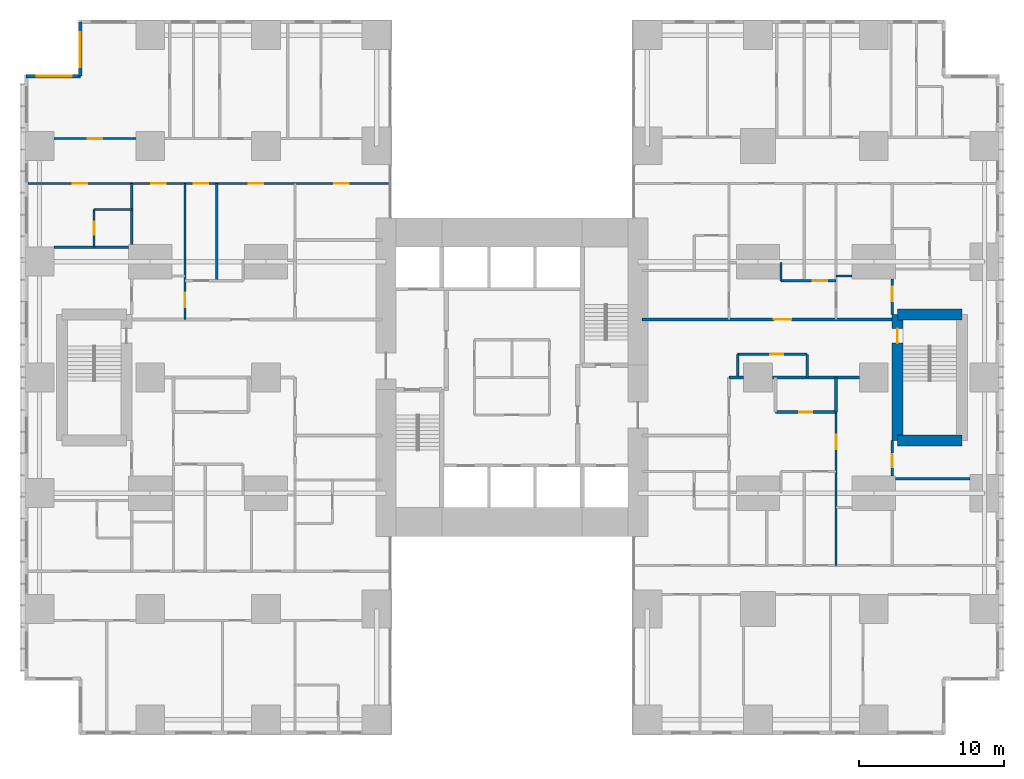
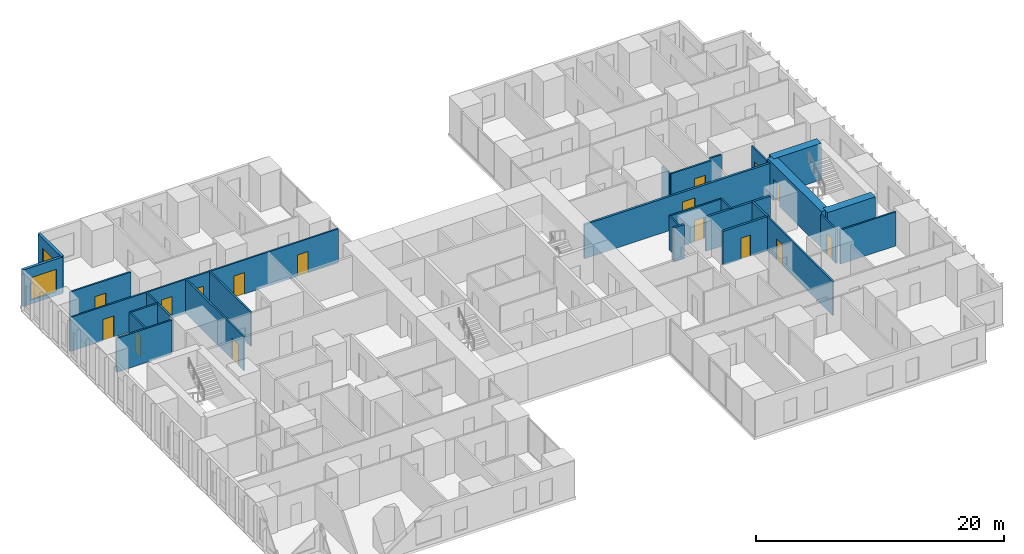
# One storey, part 16 of 20: 28 walls, 16 doors, 2 windows, 18 openings.
"""IFC4 building model written with IfcOpenShell, lengths in metres."""

from ifc_helpers import new_model, si_unit, direction, frame, frame_2d, origin, place, context, subcontext, project, spatial, rectangle, extrude, material, layer, layer_set, type_object, element, fill, save


model = new_model("IFC4")

# Units and contexts
model_context = context("Model", 3, precision=1e-05, world=origin(), true_north=direction((0.0, 1.0)))
body_context = subcontext(model_context, "Body", "Model", "MODEL_VIEW")
ifc_project = project(units=[si_unit("LENGTHUNIT", "METRE"), si_unit("AREAUNIT", "SQUARE_METRE"), si_unit("VOLUMEUNIT", "CUBIC_METRE"), si_unit("PLANEANGLEUNIT", "RADIAN"), si_unit("MASSUNIT", "GRAM", prefix="KILO")], contexts=[model_context])

# Site, building, storey
site_placement = place(None, origin())
site = spatial("IfcSite", under=ifc_project, at=site_placement, CompositionType="ELEMENT")
building_placement = place(site_placement, origin())
building = spatial("IfcBuilding", under=site, at=building_placement, Name="Cleftline Residences", CompositionType="ELEMENT")
storey_placement = place(building_placement, frame((0.0, 0.0, 164.60009765625)))
storey = spatial("IfcBuildingStorey", under=building, at=storey_placement, Name="L43", CompositionType="ELEMENT", Elevation=164.60009765625)

# Wall, opening, window
ifc_material_1 = material(Name="Rendered reinforced concrete blockwork", Category="masonry")
ifc_layer_1 = layer(ifc_material_1, 0.25)
ifc_layer_set_1 = layer_set([ifc_layer_1], Name="EXTERNAL WALL 250")
wall_type_1 = type_object("IfcWallType", Name="EXTERNAL WALL 250", PredefinedType="SOLIDWALL", material=ifc_layer_set_1)
wall_1_placement = place(storey_placement, frame((3.175048828125, 48.574951171875, 0.0), z_axis=(0.0, 0.0, 1.0), x_axis=(0.0, -1.0, 0.0)))
wall_1 = element("IfcWall", 1, at=wall_1_placement, inside=storey, type_object=wall_type_1, Name="External wall", PredefinedType="SOLIDWALL", context=body_context, shape_type="SweptSolid", body=[
    extrude(rectangle(XDim=3.75, YDim=0.25, at=frame_2d((1.875, 0.0))), origin(), (0.0, 0.0, 1.0), 3.599853515625),
])
opening_1_placement = place(wall_1_placement, frame((0.737548828125, 0.0, 0.39990234375)))
opening_1 = element("IfcOpeningElement", 2, at=opening_1_placement, cuts=wall_1, Name="Opening W12", PredefinedType="OPENING", context=body_context, shape_type="SweptSolid", body=[
    extrude(rectangle(XDim=2.39990234375, YDim=2.199951171875, at=frame_2d((1.199951171875, 1.10009765625))), frame((0.0, 0.135009765625, 0.0), z_axis=(0.0, -1.0, 0.0), x_axis=(1.0, 0.0, 0.0)), (0.0, 0.0, 1.0), 0.27001953125),
])
ifc_material_2 = material(Name="Aluminium frame, clear double glazing", Category="aluminium")
window_type = type_object("IfcWindowType", Name="WINDOW 2400X2200", PartitioningType="DOUBLE_PANEL_VERTICAL", PredefinedType="WINDOW", material=ifc_material_2)
window_1_placement = place(opening_1_placement, origin())
window_1 = element("IfcWindow", 3, at=window_1_placement, inside=storey, type_object=window_type, Name="Window", OverallHeight=2.199951171875, OverallWidth=2.39990234375, PartitioningType="SINGLE_PANEL", PredefinedType="WINDOW", context=body_context, shape_type="SweptSolid", body=[
    extrude(rectangle(XDim=2.39990234375, YDim=2.199951171875, at=frame_2d((1.199951171875, 1.10009765625))), frame((0.0, 0.030029296875, 0.0), z_axis=(0.0, -1.0, 0.0), x_axis=(1.0, 0.0, 0.0)), (0.0, 0.0, 1.0), 0.06005859375),
])
fill(opening_1, window_1)

wall_2_placement = place(storey_placement, frame((3.175048828125, 44.824951171875, 0.0), z_axis=(0.0, 0.0, 1.0), x_axis=(-1.0, 0.0, 0.0)))
wall_2 = element("IfcWall", 4, at=wall_2_placement, inside=storey, type_object=wall_type_1, Name="External wall", PredefinedType="SOLIDWALL", context=body_context, shape_type="SweptSolid", body=[
    extrude(rectangle(XDim=3.75, YDim=0.25, at=frame_2d((1.875, 0.0))), origin(), (0.0, 0.0, 1.0), 3.599853515625),
])
opening_2_placement = place(wall_2_placement, frame((0.612548828125, 0.0, 0.39990234375)))
opening_2 = element("IfcOpeningElement", 5, at=opening_2_placement, cuts=wall_2, Name="Opening W12", PredefinedType="OPENING", context=body_context, shape_type="SweptSolid", body=[
    extrude(rectangle(XDim=2.39990234375, YDim=2.199951171875, at=frame_2d((1.199951171875, 1.10009765625))), frame((0.0, 0.135009765625, 0.0), z_axis=(0.0, -1.0, 0.0), x_axis=(1.0, 0.0, 0.0)), (0.0, 0.0, 1.0), 0.27001953125),
])
window_2_placement = place(opening_2_placement, origin())
window_2 = element("IfcWindow", 6, at=window_2_placement, inside=storey, type_object=window_type, Name="Window", OverallHeight=2.199951171875, OverallWidth=2.39990234375, PartitioningType="SINGLE_PANEL", PredefinedType="WINDOW", context=body_context, shape_type="SweptSolid", body=[
    extrude(rectangle(XDim=2.39990234375, YDim=2.199951171875, at=frame_2d((1.199951171875, 1.10009765625))), frame((0.0, 0.030029296875, 0.0), z_axis=(0.0, -1.0, 0.0), x_axis=(1.0, 0.0, 0.0)), (0.0, 0.0, 1.0), 0.06005859375),
])
fill(opening_2, window_2)

# Wall, opening, door
ifc_material_3 = material(Name="Concrete blockwork, fire rated", Category="masonry")
ifc_layer_2 = layer(ifc_material_3, 0.199951171875)
ifc_layer_set_2 = layer_set([ifc_layer_2], Name="FIRE WALL 200")
wall_type_2 = type_object("IfcWallType", Name="FIRE WALL 200", PredefinedType="PARTITIONING", material=ifc_layer_set_2)
wall_3_placement = place(storey_placement, frame((51.199951171875, 21.60009765625, 0.0), z_axis=(0.0, 0.0, 1.0), x_axis=(1.0, 0.0, 0.0)))
wall_3 = element("IfcWall", 7, at=wall_3_placement, inside=storey, type_object=wall_type_2, Name="Fire separating wall", PredefinedType="PARTITIONING", context=body_context, shape_type="SweptSolid", body=[
    extrude(rectangle(XDim=4.199951171875, YDim=0.199951171875, at=frame_2d((2.10009765625, 0.0))), origin(), (0.0, 0.0, 1.0), 3.349853515625),
])
opening_3_placement = place(wall_3_placement, frame((1.64990234375, 0.0, 0.0)))
opening_3 = element("IfcOpeningElement", 8, at=opening_3_placement, cuts=wall_3, Name="Opening D1F30", PredefinedType="OPENING", context=body_context, shape_type="SweptSolid", body=[
    extrude(rectangle(XDim=0.89990234375, YDim=2.10009765625, at=frame_2d((0.449951171875, 1.050048828125))), frame((0.0, 0.10986328125, 0.0), z_axis=(0.0, -1.0, 0.0), x_axis=(1.0, 0.0, 0.0)), (0.0, 0.0, 1.0), 0.219970703125),
])
ifc_material_4 = material(Name="Timber veneer on solid core", Category="wood")
door_type_1 = type_object("IfcDoorType", Name="DOOR 900X2100 EI 30", OperationType="SINGLE_SWING_LEFT", PredefinedType="DOOR", material=ifc_material_4)
door_1_placement = place(opening_3_placement, origin())
door_1 = element("IfcDoor", 9, at=door_1_placement, inside=storey, type_object=door_type_1, Name="Door to cloakroom wc", OperationType="SINGLE_SWING_LEFT", OverallHeight=2.10009765625, OverallWidth=0.89990234375, PredefinedType="DOOR", context=body_context, shape_type="SweptSolid", body=[
    extrude(rectangle(XDim=0.89990234375, YDim=2.10009765625, at=frame_2d((0.449951171875, 1.050048828125))), frame((0.0, 0.02490234375, 0.0), z_axis=(0.0, -1.0, 0.0), x_axis=(1.0, 0.0, 0.0)), (0.0, 0.0, 1.0), 0.050048828125),
])
fill(opening_3, door_1)

# Walls
wall_4_placement = place(storey_placement, frame((48.0, 24.0, 0.0), z_axis=(0.0, 0.0, 1.0), x_axis=(1.0, 0.0, 0.0)))
element("IfcWall", 10, at=wall_4_placement, inside=storey, type_object=wall_type_2, Name="Fire separating wall", PredefinedType="PARTITIONING", context=body_context, shape_type="SweptSolid", body=[
    extrude(rectangle(XDim=1.0, YDim=0.199951171875, at=frame_2d((0.5, 0.0))), origin(), (0.0, 0.0, 1.0), 3.349853515625),
])
wall_5_placement = place(storey_placement, frame((51.0, 24.0, 0.0), z_axis=(0.0, 0.0, 1.0), x_axis=(1.0, 0.0, 0.0)))
element("IfcWall", 11, at=wall_5_placement, inside=storey, type_object=wall_type_2, Name="Fire separating wall", PredefinedType="PARTITIONING", context=body_context, shape_type="SweptSolid", body=[
    extrude(rectangle(XDim=6.0, YDim=0.199951171875, at=frame_2d((3.0, 0.0))), origin(), (0.0, 0.0, 1.0), 3.349853515625),
])

# Wall, opening, door
wall_6_placement = place(storey_placement, frame((42.0, 28.0, 0.0), z_axis=(0.0, 0.0, 1.0), x_axis=(1.0, 0.0, 0.0)))
wall_6 = element("IfcWall", 12, at=wall_6_placement, inside=storey, type_object=wall_type_2, Name="Fire separating wall", PredefinedType="PARTITIONING", context=body_context, shape_type="SweptSolid", body=[
    extrude(rectangle(XDim=17.27490234375, YDim=0.199951171875, at=frame_2d((8.637451171875, 0.0))), origin(), (0.0, 0.0, 1.0), 3.349853515625),
])
opening_4_placement = place(wall_6_placement, frame((9.10009765625, 0.0, 0.0)))
opening_4 = element("IfcOpeningElement", 13, at=opening_4_placement, cuts=wall_6, Name="Opening D4", PredefinedType="OPENING", context=body_context, shape_type="SweptSolid", body=[
    extrude(rectangle(XDim=1.199951171875, YDim=2.39990234375, at=frame_2d((0.60009765625, 1.199951171875))), frame((0.0, 0.10986328125, 0.0), z_axis=(0.0, -1.0, 0.0), x_axis=(1.0, 0.0, 0.0)), (0.0, 0.0, 1.0), 0.219970703125),
])
ifc_material_5 = material(Name="Timber veneer on solid core", Category="wood")
door_type_2 = type_object("IfcDoorType", Name="APARTMENT ENTRANCE DOOR 1200X2400", OperationType="SINGLE_SWING_RIGHT", PredefinedType="DOOR", material=ifc_material_5)
door_2_placement = place(opening_4_placement, origin())
door_2 = element("IfcDoor", 14, at=door_2_placement, inside=storey, type_object=door_type_2, Name="Door to residence entrance (gallery)", OperationType="SINGLE_SWING_LEFT", OverallHeight=2.39990234375, OverallWidth=1.199951171875, PredefinedType="DOOR", context=body_context, shape_type="SweptSolid", body=[
    extrude(rectangle(XDim=1.199951171875, YDim=2.39990234375, at=frame_2d((0.60009765625, 1.199951171875))), frame((0.0, 0.02490234375, 0.0), z_axis=(0.0, -1.0, 0.0), x_axis=(1.0, 0.0, 0.0)), (0.0, 0.0, 1.0), 0.050048828125),
])
fill(opening_4, door_2)

# Walls
wall_7_placement = place(storey_placement, frame((55.39990234375, 21.60009765625, 0.0), z_axis=(0.0, 0.0, 1.0), x_axis=(0.0, 1.0, 0.0)))
element("IfcWall", 15, at=wall_7_placement, inside=storey, type_object=wall_type_2, Name="Fire separating wall", PredefinedType="PARTITIONING", context=body_context, shape_type="SweptSolid", body=[
    extrude(rectangle(XDim=2.39990234375, YDim=0.199951171875, at=frame_2d((1.199951171875, 0.0))), origin(), (0.0, 0.0, 1.0), 3.349853515625),
])
ifc_material_6 = material(Name="Gypsum board on steel studs", Category="steel")
ifc_layer_3 = layer(ifc_material_6, 0.14990234375)
ifc_layer_set_3 = layer_set([ifc_layer_3], Name="PARTITION 150")
wall_type_3 = type_object("IfcWallType", Name="PARTITION 150", PredefinedType="PARTITIONING", material=ifc_layer_set_3)
wall_8_placement = place(storey_placement, frame((59.5, 17.0, 0.0), z_axis=(0.0, 0.0, 1.0), x_axis=(1.0, 0.0, 0.0)))
element("IfcWall", 16, at=wall_8_placement, inside=storey, type_object=wall_type_3, Name="Partition", PredefinedType="PARTITIONING", context=body_context, shape_type="SweptSolid", body=[
    extrude(rectangle(XDim=5.14990234375, YDim=0.14990234375, at=frame_2d((2.574951171875, 0.0))), origin(), (0.0, 0.0, 1.0), 3.349853515625),
])

# Wall, opening, door
wall_9_placement = place(storey_placement, frame((48.60009765625, 25.60009765625, 0.0), z_axis=(0.0, 0.0, 1.0), x_axis=(1.0, 0.0, 0.0)))
wall_9 = element("IfcWall", 17, at=wall_9_placement, inside=storey, type_object=wall_type_3, Name="Partition", PredefinedType="PARTITIONING", context=body_context, shape_type="SweptSolid", body=[
    extrude(rectangle(XDim=4.7998046875, YDim=0.14990234375, at=frame_2d((2.39990234375, 0.0))), origin(), (0.0, 0.0, 1.0), 3.349853515625),
])
opening_5_placement = place(wall_9_placement, frame((2.25, 0.0, 0.0)))
opening_5 = element("IfcOpeningElement", 18, at=opening_5_placement, cuts=wall_9, Name="Opening D1", PredefinedType="OPENING", context=body_context, shape_type="SweptSolid", body=[
    extrude(rectangle(XDim=0.89990234375, YDim=2.10009765625, at=frame_2d((0.449951171875, 1.050048828125))), frame((0.0, 0.0849609375, 0.0), z_axis=(0.0, -1.0, 0.0), x_axis=(1.0, 0.0, 0.0)), (0.0, 0.0, 1.0), 0.169921875),
])
ifc_material_7 = material(Name="Timber veneer on solid core", Category="wood")
door_type_3 = type_object("IfcDoorType", Name="DOOR 900X2100", OperationType="SINGLE_SWING_LEFT", PredefinedType="DOOR", material=ifc_material_7)
door_3_placement = place(opening_5_placement, origin())
door_3 = element("IfcDoor", 19, at=door_3_placement, inside=storey, type_object=door_type_3, Name="Door to bulky waste room", OperationType="SINGLE_SWING_LEFT", OverallHeight=2.10009765625, OverallWidth=0.89990234375, PredefinedType="DOOR", context=body_context, shape_type="SweptSolid", body=[
    extrude(rectangle(XDim=0.89990234375, YDim=2.10009765625, at=frame_2d((0.449951171875, 1.050048828125))), frame((0.0, 0.02490234375, 0.0), z_axis=(0.0, -1.0, 0.0), x_axis=(1.0, 0.0, 0.0)), (0.0, 0.0, 1.0), 0.050048828125),
])
fill(opening_5, door_3)

wall_10_placement = place(storey_placement, frame((51.60009765625, 30.675048828125, 0.0), z_axis=(0.0, 0.0, 1.0), x_axis=(1.0, 0.0, 0.0)))
wall_10 = element("IfcWall", 20, at=wall_10_placement, inside=storey, type_object=wall_type_3, Name="Partition", PredefinedType="PARTITIONING", context=body_context, shape_type="SweptSolid", body=[
    extrude(rectangle(XDim=3.7998046875, YDim=0.14990234375, at=frame_2d((1.89990234375, 0.0))), origin(), (0.0, 0.0, 1.0), 3.349853515625),
])
opening_6_placement = place(wall_10_placement, frame((2.199951171875, 0.0, 0.0)))
opening_6 = element("IfcOpeningElement", 21, at=opening_6_placement, cuts=wall_10, Name="Opening D2", PredefinedType="OPENING", context=body_context, shape_type="SweptSolid", body=[
    extrude(rectangle(XDim=1.0, YDim=2.10009765625, at=frame_2d((0.5, 1.050048828125))), frame((0.0, 0.0849609375, 0.0), z_axis=(0.0, -1.0, 0.0), x_axis=(1.0, 0.0, 0.0)), (0.0, 0.0, 1.0), 0.169921875),
])
ifc_material_8 = material(Name="Timber veneer on solid core", Category="wood")
door_type_4 = type_object("IfcDoorType", Name="DOOR 1000X2100", OperationType="SINGLE_SWING_LEFT", PredefinedType="DOOR", material=ifc_material_8)
door_4_placement = place(opening_6_placement, origin())
door_4 = element("IfcDoor", 22, at=door_4_placement, inside=storey, type_object=door_type_4, Name="Door to residence passage", OperationType="SINGLE_SWING_LEFT", OverallHeight=2.10009765625, OverallWidth=1.0, PredefinedType="DOOR", context=body_context, shape_type="SweptSolid", body=[
    extrude(rectangle(XDim=1.0, YDim=2.10009765625, at=frame_2d((0.5, 1.050048828125))), frame((0.0, 0.02490234375, 0.0), z_axis=(0.0, -1.0, 0.0), x_axis=(1.0, 0.0, 0.0)), (0.0, 0.0, 1.0), 0.050048828125),
])
fill(opening_6, door_4)

# Walls
wall_11_placement = place(storey_placement, frame((55.39990234375, 31.0, 0.0), z_axis=(0.0, 0.0, 1.0), x_axis=(1.0, 0.0, 0.0)))
element("IfcWall", 23, at=wall_11_placement, inside=storey, type_object=wall_type_3, Name="Partition", PredefinedType="PARTITIONING", context=body_context, shape_type="SweptSolid", body=[
    extrude(rectangle(XDim=1.10009765625, YDim=0.14990234375, at=frame_2d((0.550048828125, 0.0))), origin(), (0.0, 0.0, 1.0), 3.349853515625),
])
wall_12_placement = place(storey_placement, frame((1.35009765625, 33.0, 0.0), z_axis=(0.0, 0.0, 1.0), x_axis=(1.0, 0.0, 0.0)))
element("IfcWall", 24, at=wall_12_placement, inside=storey, type_object=wall_type_3, Name="Partition", PredefinedType="PARTITIONING", context=body_context, shape_type="SweptSolid", body=[
    extrude(rectangle(XDim=5.14990234375, YDim=0.14990234375, at=frame_2d((2.574951171875, 0.0))), origin(), (0.0, 0.0, 1.0), 3.349853515625),
])
wall_13_placement = place(storey_placement, frame((4.125, 35.60009765625, 0.0), z_axis=(0.0, 0.0, 1.0), x_axis=(1.0, 0.0, 0.0)))
element("IfcWall", 25, at=wall_13_placement, inside=storey, type_object=wall_type_3, Name="Partition", PredefinedType="PARTITIONING", context=body_context, shape_type="SweptSolid", body=[
    extrude(rectangle(XDim=2.60009765625, YDim=0.14990234375, at=frame_2d((1.300048828125, 0.0))), origin(), (0.0, 0.0, 1.0), 3.349853515625),
])

# Wall, openings, doors
wall_14_placement = place(storey_placement, frame((-0.449951171875, 37.39990234375, 0.0), z_axis=(0.0, 0.0, 1.0), x_axis=(1.0, 0.0, 0.0)))
wall_14 = element("IfcWall", 26, at=wall_14_placement, inside=storey, type_object=wall_type_3, Name="Partition", PredefinedType="PARTITIONING", context=body_context, shape_type="SweptSolid", body=[
    extrude(rectangle(XDim=25.010986328125, YDim=0.14990234375, at=frame_2d((12.50537109375, 0.0))), origin(), (0.0, 0.0, 1.0), 3.349853515625),
])
opening_7_placement = place(wall_14_placement, frame((11.449951171875, 0.0, 0.0)))
opening_7 = element("IfcOpeningElement", 27, at=opening_7_placement, cuts=wall_14, Name="Opening D2", PredefinedType="OPENING", context=body_context, shape_type="SweptSolid", body=[
    extrude(rectangle(XDim=1.0, YDim=2.10009765625, at=frame_2d((0.5, 1.050048828125))), frame((0.0, 0.0849609375, 0.0), z_axis=(0.0, -1.0, 0.0), x_axis=(1.0, 0.0, 0.0)), (0.0, 0.0, 1.0), 0.169921875),
])
opening_8_placement = place(wall_14_placement, frame((3.08740234375, 0.0, 0.0)))
opening_8 = element("IfcOpeningElement", 28, at=opening_8_placement, cuts=wall_14, Name="Opening D2", PredefinedType="OPENING", context=body_context, shape_type="SweptSolid", body=[
    extrude(rectangle(XDim=1.0, YDim=2.10009765625, at=frame_2d((0.5, 1.050048828125))), frame((0.0, 0.0849609375, 0.0), z_axis=(0.0, -1.0, 0.0), x_axis=(1.0, 0.0, 0.0)), (0.0, 0.0, 1.0), 0.169921875),
])
opening_9_placement = place(wall_14_placement, frame((8.512451171875, 0.0, 0.0)))
opening_9 = element("IfcOpeningElement", 29, at=opening_9_placement, cuts=wall_14, Name="Opening D2", PredefinedType="OPENING", context=body_context, shape_type="SweptSolid", body=[
    extrude(rectangle(XDim=1.0, YDim=2.10009765625, at=frame_2d((0.5, 1.050048828125))), frame((0.0, 0.0849609375, 0.0), z_axis=(0.0, -1.0, 0.0), x_axis=(1.0, 0.0, 0.0)), (0.0, 0.0, 1.0), 0.169921875),
])
opening_10_placement = place(wall_14_placement, frame((15.25, 0.0, 0.0)))
opening_10 = element("IfcOpeningElement", 30, at=opening_10_placement, cuts=wall_14, Name="Opening D2", PredefinedType="OPENING", context=body_context, shape_type="SweptSolid", body=[
    extrude(rectangle(XDim=1.0, YDim=2.10009765625, at=frame_2d((0.5, 1.050048828125))), frame((0.0, 0.0849609375, 0.0), z_axis=(0.0, -1.0, 0.0), x_axis=(1.0, 0.0, 0.0)), (0.0, 0.0, 1.0), 0.169921875),
])
opening_11_placement = place(wall_14_placement, frame((21.175048828125, 0.0, 0.0)))
opening_11 = element("IfcOpeningElement", 31, at=opening_11_placement, cuts=wall_14, Name="Opening D2", PredefinedType="OPENING", context=body_context, shape_type="SweptSolid", body=[
    extrude(rectangle(XDim=1.0, YDim=2.10009765625, at=frame_2d((0.5, 1.050048828125))), frame((0.0, 0.0849609375, 0.0), z_axis=(0.0, -1.0, 0.0), x_axis=(1.0, 0.0, 0.0)), (0.0, 0.0, 1.0), 0.169921875),
])
door_5_placement = place(opening_7_placement, origin())
door_5 = element("IfcDoor", 32, at=door_5_placement, inside=storey, type_object=door_type_4, Name="Door to residence hall", OperationType="SINGLE_SWING_RIGHT", OverallHeight=2.10009765625, OverallWidth=1.0, PredefinedType="DOOR", context=body_context, shape_type="SweptSolid", body=[
    extrude(rectangle(XDim=1.0, YDim=2.10009765625, at=frame_2d((0.5, 1.050048828125))), frame((0.0, 0.02490234375, 0.0), z_axis=(0.0, -1.0, 0.0), x_axis=(1.0, 0.0, 0.0)), (0.0, 0.0, 1.0), 0.050048828125),
])
fill(opening_7, door_5)
door_6_placement = place(opening_8_placement, origin())
door_6 = element("IfcDoor", 33, at=door_6_placement, inside=storey, type_object=door_type_4, Name="Door to master bedroom", OperationType="SINGLE_SWING_RIGHT", OverallHeight=2.10009765625, OverallWidth=1.0, PredefinedType="DOOR", context=body_context, shape_type="SweptSolid", body=[
    extrude(rectangle(XDim=1.0, YDim=2.10009765625, at=frame_2d((0.5, 1.050048828125))), frame((0.0, 0.02490234375, 0.0), z_axis=(0.0, -1.0, 0.0), x_axis=(1.0, 0.0, 0.0)), (0.0, 0.0, 1.0), 0.050048828125),
])
fill(opening_8, door_6)
door_7_placement = place(opening_9_placement, origin())
door_7 = element("IfcDoor", 34, at=door_7_placement, inside=storey, type_object=door_type_4, Name="Door to show kitchen", OperationType="SINGLE_SWING_RIGHT", OverallHeight=2.10009765625, OverallWidth=1.0, PredefinedType="DOOR", context=body_context, shape_type="SweptSolid", body=[
    extrude(rectangle(XDim=1.0, YDim=2.10009765625, at=frame_2d((0.5, 1.050048828125))), frame((0.0, 0.02490234375, 0.0), z_axis=(0.0, -1.0, 0.0), x_axis=(1.0, 0.0, 0.0)), (0.0, 0.0, 1.0), 0.050048828125),
])
fill(opening_9, door_7)
door_8_placement = place(opening_10_placement, origin())
door_8 = element("IfcDoor", 35, at=door_8_placement, inside=storey, type_object=door_type_4, Name="Door to dining room", OperationType="SINGLE_SWING_LEFT", OverallHeight=2.10009765625, OverallWidth=1.0, PredefinedType="DOOR", context=body_context, shape_type="SweptSolid", body=[
    extrude(rectangle(XDim=1.0, YDim=2.10009765625, at=frame_2d((0.5, 1.050048828125))), frame((0.0, 0.02490234375, 0.0), z_axis=(0.0, -1.0, 0.0), x_axis=(1.0, 0.0, 0.0)), (0.0, 0.0, 1.0), 0.050048828125),
])
fill(opening_10, door_8)
door_9_placement = place(opening_11_placement, origin())
door_9 = element("IfcDoor", 36, at=door_9_placement, inside=storey, type_object=door_type_4, Name="Door to wet kitchen", OperationType="SINGLE_SWING_LEFT", OverallHeight=2.10009765625, OverallWidth=1.0, PredefinedType="DOOR", context=body_context, shape_type="SweptSolid", body=[
    extrude(rectangle(XDim=1.0, YDim=2.10009765625, at=frame_2d((0.5, 1.050048828125))), frame((0.0, 0.02490234375, 0.0), z_axis=(0.0, -1.0, 0.0), x_axis=(1.0, 0.0, 0.0)), (0.0, 0.0, 1.0), 0.050048828125),
])
fill(opening_11, door_9)

# Wall, opening, door
wall_15_placement = place(storey_placement, frame((1.35009765625, 40.5, 0.0), z_axis=(0.0, 0.0, 1.0), x_axis=(1.0, 0.0, 0.0)))
wall_15 = element("IfcWall", 37, at=wall_15_placement, inside=storey, type_object=wall_type_3, Name="Partition", PredefinedType="PARTITIONING", context=body_context, shape_type="SweptSolid", body=[
    extrude(rectangle(XDim=5.64990234375, YDim=0.14990234375, at=frame_2d((2.824951171875, 0.0))), origin(), (0.0, 0.0, 1.0), 3.349853515625),
])
opening_12_placement = place(wall_15_placement, frame((2.324951171875, 0.0, 0.0)))
opening_12 = element("IfcOpeningElement", 38, at=opening_12_placement, cuts=wall_15, Name="Opening D2", PredefinedType="OPENING", context=body_context, shape_type="SweptSolid", body=[
    extrude(rectangle(XDim=1.0, YDim=2.10009765625, at=frame_2d((0.5, 1.050048828125))), frame((0.0, 0.0849609375, 0.0), z_axis=(0.0, -1.0, 0.0), x_axis=(1.0, 0.0, 0.0)), (0.0, 0.0, 1.0), 0.169921875),
])
door_10_placement = place(opening_12_placement, origin())
door_10 = element("IfcDoor", 39, at=door_10_placement, inside=storey, type_object=door_type_4, Name="Door to living room", OperationType="SINGLE_SWING_LEFT", OverallHeight=2.10009765625, OverallWidth=1.0, PredefinedType="DOOR", context=body_context, shape_type="SweptSolid", body=[
    extrude(rectangle(XDim=1.0, YDim=2.10009765625, at=frame_2d((0.5, 1.050048828125))), frame((0.0, 0.02490234375, 0.0), z_axis=(0.0, -1.0, 0.0), x_axis=(1.0, 0.0, 0.0)), (0.0, 0.0, 1.0), 0.050048828125),
])
fill(opening_12, door_10)

wall_16_placement = place(storey_placement, frame((4.125, 33.0, 0.0), z_axis=(0.0, 0.0, 1.0), x_axis=(0.0, 1.0, 0.0)))
wall_16 = element("IfcWall", 40, at=wall_16_placement, inside=storey, type_object=wall_type_3, Name="Partition", PredefinedType="PARTITIONING", context=body_context, shape_type="SweptSolid", body=[
    extrude(rectangle(XDim=2.60009765625, YDim=0.14990234375, at=frame_2d((1.300048828125, 0.0))), origin(), (0.0, 0.0, 1.0), 3.349853515625),
])
opening_13_placement = place(wall_16_placement, frame((0.85009765625, 0.0, 0.0)))
opening_13 = element("IfcOpeningElement", 41, at=opening_13_placement, cuts=wall_16, Name="Opening D1", PredefinedType="OPENING", context=body_context, shape_type="SweptSolid", body=[
    extrude(rectangle(XDim=0.89990234375, YDim=2.10009765625, at=frame_2d((0.449951171875, 1.050048828125))), frame((0.0, 0.0849609375, 0.0), z_axis=(0.0, -1.0, 0.0), x_axis=(1.0, 0.0, 0.0)), (0.0, 0.0, 1.0), 0.169921875),
])
door_11_placement = place(opening_13_placement, origin())
door_11 = element("IfcDoor", 42, at=door_11_placement, inside=storey, type_object=door_type_3, Name="Door to master bathroom", OperationType="SINGLE_SWING_LEFT", OverallHeight=2.10009765625, OverallWidth=0.89990234375, PredefinedType="DOOR", context=body_context, shape_type="SweptSolid", body=[
    extrude(rectangle(XDim=0.89990234375, YDim=2.10009765625, at=frame_2d((0.449951171875, 1.050048828125))), frame((0.0, 0.02490234375, 0.0), z_axis=(0.0, -1.0, 0.0), x_axis=(1.0, 0.0, 0.0)), (0.0, 0.0, 1.0), 0.050048828125),
])
fill(opening_13, door_11)

# Wall
wall_17_placement = place(storey_placement, frame((6.72509765625, 33.199951171875, 0.0), z_axis=(0.0, 0.0, 1.0), x_axis=(0.0, 1.0, 0.0)))
element("IfcWall", 43, at=wall_17_placement, inside=storey, type_object=wall_type_3, Name="Partition", PredefinedType="PARTITIONING", context=body_context, shape_type="SweptSolid", body=[
    extrude(rectangle(XDim=4.199951171875, YDim=0.14990234375, at=frame_2d((2.10009765625, 0.0))), origin(), (0.0, 0.0, 1.0), 3.349853515625),
])

# Wall, opening, door
wall_18_placement = place(storey_placement, frame((10.39990234375, 28.0, 0.0), z_axis=(0.0, 0.0, 1.0), x_axis=(0.0, 1.0, 0.0)))
wall_18 = element("IfcWall", 44, at=wall_18_placement, inside=storey, type_object=wall_type_3, Name="Partition", PredefinedType="PARTITIONING", context=body_context, shape_type="SweptSolid", body=[
    extrude(rectangle(XDim=9.39990234375, YDim=0.14990234375, at=frame_2d((4.699951171875, 0.0))), origin(), (0.0, 0.0, 1.0), 3.349853515625),
])
opening_14_placement = place(wall_18_placement, frame((0.83740234375, 0.0, 0.0)))
opening_14 = element("IfcOpeningElement", 45, at=opening_14_placement, cuts=wall_18, Name="Opening D2F30", PredefinedType="OPENING", context=body_context, shape_type="SweptSolid", body=[
    extrude(rectangle(XDim=1.0, YDim=2.10009765625, at=frame_2d((0.5, 1.050048828125))), frame((0.0, 0.0849609375, 0.0), z_axis=(0.0, -1.0, 0.0), x_axis=(1.0, 0.0, 0.0)), (0.0, 0.0, 1.0), 0.169921875),
])
ifc_material_9 = material(Name="Timber veneer on solid core", Category="wood")
door_type_5 = type_object("IfcDoorType", Name="DOOR 1000X2100 EI 30", OperationType="SINGLE_SWING_LEFT", PredefinedType="DOOR", material=ifc_material_9)
door_12_placement = place(opening_14_placement, origin())
door_12 = element("IfcDoor", 46, at=door_12_placement, inside=storey, type_object=door_type_5, Name="Door to residence lobby (service)", OperationType="SINGLE_SWING_RIGHT", OverallHeight=2.10009765625, OverallWidth=1.0, PredefinedType="DOOR", context=body_context, shape_type="SweptSolid", body=[
    extrude(rectangle(XDim=1.0, YDim=2.10009765625, at=frame_2d((0.5, 1.050048828125))), frame((0.0, 0.02490234375, 0.0), z_axis=(0.0, -1.0, 0.0), x_axis=(1.0, 0.0, 0.0)), (0.0, 0.0, 1.0), 0.050048828125),
])
fill(opening_14, door_12)

# Walls
wall_19_placement = place(storey_placement, frame((12.60009765625, 30.675048828125, 0.0), z_axis=(0.0, 0.0, 1.0), x_axis=(0.0, 1.0, 0.0)))
element("IfcWall", 47, at=wall_19_placement, inside=storey, type_object=wall_type_3, Name="Partition", PredefinedType="PARTITIONING", context=body_context, shape_type="SweptSolid", body=[
    extrude(rectangle(XDim=6.724853515625, YDim=0.14990234375, at=frame_2d((3.3623046875, 0.0))), origin(), (0.0, 0.0, 1.0), 3.349853515625),
])
wall_20_placement = place(storey_placement, frame((48.60009765625, 24.0, 0.0), z_axis=(0.0, 0.0, 1.0), x_axis=(0.0, 1.0, 0.0)))
element("IfcWall", 48, at=wall_20_placement, inside=storey, type_object=wall_type_3, Name="Partition", PredefinedType="PARTITIONING", context=body_context, shape_type="SweptSolid", body=[
    extrude(rectangle(XDim=1.60009765625, YDim=0.14990234375, at=frame_2d((0.800048828125, 0.0))), origin(), (0.0, 0.0, 1.0), 3.349853515625),
])
wall_21_placement = place(storey_placement, frame((51.60009765625, 30.675048828125, 0.0), z_axis=(0.0, 0.0, 1.0), x_axis=(0.0, 1.0, 0.0)))
element("IfcWall", 49, at=wall_21_placement, inside=storey, type_object=wall_type_3, Name="Partition", PredefinedType="PARTITIONING", context=body_context, shape_type="SweptSolid", body=[
    extrude(rectangle(XDim=1.27490234375, YDim=0.14990234375, at=frame_2d((0.637451171875, 0.0))), origin(), (0.0, 0.0, 1.0), 3.349853515625),
])
wall_22_placement = place(storey_placement, frame((53.39990234375, 24.0, 0.0), z_axis=(0.0, 0.0, 1.0), x_axis=(0.0, 1.0, 0.0)))
element("IfcWall", 50, at=wall_22_placement, inside=storey, type_object=wall_type_3, Name="Partition", PredefinedType="PARTITIONING", context=body_context, shape_type="SweptSolid", body=[
    extrude(rectangle(XDim=1.60009765625, YDim=0.14990234375, at=frame_2d((0.800048828125, 0.0))), origin(), (0.0, 0.0, 1.0), 3.349853515625),
])

# Wall, opening, door
wall_23_placement = place(storey_placement, frame((55.39990234375, 11.0, 0.0), z_axis=(0.0, 0.0, 1.0), x_axis=(0.0, 1.0, 0.0)))
wall_23 = element("IfcWall", 51, at=wall_23_placement, inside=storey, type_object=wall_type_3, Name="Partition", PredefinedType="PARTITIONING", context=body_context, shape_type="SweptSolid", body=[
    extrude(rectangle(XDim=10.60009765625, YDim=0.14990234375, at=frame_2d((5.300048828125, 0.0))), origin(), (0.0, 0.0, 1.0), 3.349853515625),
])
opening_15_placement = place(wall_23_placement, frame((8.050048828125, 0.0, 0.0)))
opening_15 = element("IfcOpeningElement", 52, at=opening_15_placement, cuts=wall_23, Name="Opening D2F30", PredefinedType="OPENING", context=body_context, shape_type="SweptSolid", body=[
    extrude(rectangle(XDim=1.0, YDim=2.10009765625, at=frame_2d((0.5, 1.050048828125))), frame((0.0, 0.0849609375, 0.0), z_axis=(0.0, -1.0, 0.0), x_axis=(1.0, 0.0, 0.0)), (0.0, 0.0, 1.0), 0.169921875),
])
door_13_placement = place(opening_15_placement, origin())
door_13 = element("IfcDoor", 53, at=door_13_placement, inside=storey, type_object=door_type_5, Name="Door to residence lobby", OperationType="SINGLE_SWING_LEFT", OverallHeight=2.10009765625, OverallWidth=1.0, PredefinedType="DOOR", context=body_context, shape_type="SweptSolid", body=[
    extrude(rectangle(XDim=1.0, YDim=2.10009765625, at=frame_2d((0.5, 1.050048828125))), frame((0.0, 0.02490234375, 0.0), z_axis=(0.0, -1.0, 0.0), x_axis=(1.0, 0.0, 0.0)), (0.0, 0.0, 1.0), 0.050048828125),
])
fill(opening_15, door_13)

wall_24_placement = place(storey_placement, frame((59.27490234375, 17.199951171875, 0.0), z_axis=(0.0, 0.0, 1.0), x_axis=(0.0, 1.0, 0.0)))
wall_24 = element("IfcWall", 54, at=wall_24_placement, inside=storey, type_object=wall_type_3, Name="Partition", PredefinedType="PARTITIONING", context=body_context, shape_type="SweptSolid", body=[
    extrude(rectangle(XDim=2.449951171875, YDim=0.14990234375, at=frame_2d((1.22509765625, 0.0))), origin(), (0.0, 0.0, 1.0), 3.349853515625),
])
opening_16_placement = place(wall_24_placement, frame((0.58740234375, 0.0, 0.0)))
opening_16 = element("IfcOpeningElement", 55, at=opening_16_placement, cuts=wall_24, Name="Opening D1", PredefinedType="OPENING", context=body_context, shape_type="SweptSolid", body=[
    extrude(rectangle(XDim=0.89990234375, YDim=2.10009765625, at=frame_2d((0.449951171875, 1.050048828125))), frame((0.0, 0.0849609375, 0.0), z_axis=(0.0, -1.0, 0.0), x_axis=(1.0, 0.0, 0.0)), (0.0, 0.0, 1.0), 0.169921875),
])
door_14_placement = place(opening_16_placement, origin())
door_14 = element("IfcDoor", 56, at=door_14_placement, inside=storey, type_object=door_type_3, Name="Door to drying loggia", OperationType="SINGLE_SWING_RIGHT", OverallHeight=2.10009765625, OverallWidth=0.89990234375, PredefinedType="DOOR", context=body_context, shape_type="SweptSolid", body=[
    extrude(rectangle(XDim=0.89990234375, YDim=2.10009765625, at=frame_2d((0.449951171875, 1.050048828125))), frame((0.0, 0.02490234375, 0.0), z_axis=(0.0, -1.0, 0.0), x_axis=(1.0, 0.0, 0.0)), (0.0, 0.0, 1.0), 0.050048828125),
])
fill(opening_16, door_14)

wall_25_placement = place(storey_placement, frame((59.27490234375, 28.35009765625, 0.0), z_axis=(0.0, 0.0, 1.0), x_axis=(0.0, 1.0, 0.0)))
wall_25 = element("IfcWall", 57, at=wall_25_placement, inside=storey, type_object=wall_type_3, Name="Partition", PredefinedType="PARTITIONING", context=body_context, shape_type="SweptSolid", body=[
    extrude(rectangle(XDim=2.449951171875, YDim=0.14990234375, at=frame_2d((1.22509765625, 0.0))), origin(), (0.0, 0.0, 1.0), 3.349853515625),
])
opening_17_placement = place(wall_25_placement, frame((0.91259765625, 0.0, 0.0)))
opening_17 = element("IfcOpeningElement", 58, at=opening_17_placement, cuts=wall_25, Name="Opening D2", PredefinedType="OPENING", context=body_context, shape_type="SweptSolid", body=[
    extrude(rectangle(XDim=1.0, YDim=2.10009765625, at=frame_2d((0.5, 1.050048828125))), frame((0.0, 0.0849609375, 0.0), z_axis=(0.0, -1.0, 0.0), x_axis=(1.0, 0.0, 0.0)), (0.0, 0.0, 1.0), 0.169921875),
])
door_15_placement = place(opening_17_placement, origin())
door_15 = element("IfcDoor", 59, at=door_15_placement, inside=storey, type_object=door_type_4, Name="Door to winter garden", OperationType="SINGLE_SWING_LEFT", OverallHeight=2.10009765625, OverallWidth=1.0, PredefinedType="DOOR", context=body_context, shape_type="SweptSolid", body=[
    extrude(rectangle(XDim=1.0, YDim=2.10009765625, at=frame_2d((0.5, 1.050048828125))), frame((0.0, 0.02490234375, 0.0), z_axis=(0.0, -1.0, 0.0), x_axis=(1.0, 0.0, 0.0)), (0.0, 0.0, 1.0), 0.050048828125),
])
fill(opening_17, door_15)

# Walls
ifc_material_10 = material(Name="Concrete B70", Category="concrete")
ifc_layer_4 = layer(ifc_material_10, 0.75)
ifc_layer_set_4 = layer_set([ifc_layer_4], Name="SHEAR WALL 750")
wall_type_4 = type_object("IfcWallType", Name="SHEAR WALL 750", PredefinedType="SHEAR", material=ifc_layer_set_4)
for number, where, z_axis, x_axis, name in (
    (60, (59.64990234375, 19.64990234375, 0.0), (0.0, 0.0, 1.0), (1.0, 0.0, 0.0), "Wing shear wall"),
    (61, (64.10009765625, 28.35009765625, 0.0), (0.0, 0.0, 1.0), (-1.0, 0.0, 0.0), "Wing shear wall"),
):
    element("IfcWall", number, at=place(storey_placement, frame(where, z_axis=z_axis, x_axis=x_axis)), inside=storey, type_object=wall_type_4, Name=name, PredefinedType="SHEAR", context=body_context, shape_type="SweptSolid", body=[
        extrude(rectangle(XDim=4.4501953125, YDim=0.75, at=frame_2d((2.22509765625, 0.0))), origin(), (0.0, 0.0, 1.0), 3.599853515625),
    ])

# Wall, opening, door
wall_26_placement = place(storey_placement, frame((59.64990234375, 28.35009765625, 0.0), z_axis=(0.0, 0.0, 1.0), x_axis=(0.0, -1.0, 0.0)))
wall_26 = element("IfcWall", 62, at=wall_26_placement, inside=storey, type_object=wall_type_4, Name="Wing shear wall", PredefinedType="SHEAR", context=body_context, shape_type="SweptSolid", body=[
    extrude(rectangle(XDim=8.7001953125, YDim=0.75, at=frame_2d((4.35009765625, 0.0))), origin(), (0.0, 0.0, 1.0), 3.599853515625),
])
opening_18_placement = place(wall_26_placement, frame((0.97509765625, 0.0, 0.0)))
opening_18 = element("IfcOpeningElement", 63, at=opening_18_placement, cuts=wall_26, Name="Opening D5", PredefinedType="OPENING", context=body_context, shape_type="SweptSolid", body=[
    extrude(rectangle(XDim=1.0, YDim=2.10009765625, at=frame_2d((0.5, 1.050048828125))), frame((0.0, 0.385009765625, 0.0), z_axis=(0.0, -1.0, 0.0), x_axis=(1.0, 0.0, 0.0)), (0.0, 0.0, 1.0), 0.77001953125),
])
ifc_material_11 = material(Name="Steel", Category="steel")
door_type_6 = type_object("IfcDoorType", Name="STAIR DOOR 1000X2100", OperationType="SINGLE_SWING_LEFT", PredefinedType="DOOR", material=ifc_material_11)
door_16_placement = place(opening_18_placement, origin())
door_16 = element("IfcDoor", 64, at=door_16_placement, inside=storey, type_object=door_type_6, Name="Stair E door", OperationType="SINGLE_SWING_RIGHT", OverallHeight=2.10009765625, OverallWidth=1.0, PredefinedType="DOOR", context=body_context, shape_type="SweptSolid", body=[
    extrude(rectangle(XDim=1.0, YDim=2.10009765625, at=frame_2d((0.5, 1.050048828125))), frame((0.0, 0.02490234375, 0.0), z_axis=(0.0, -1.0, 0.0), x_axis=(1.0, 0.0, 0.0)), (0.0, 0.0, 1.0), 0.050048828125),
])
fill(opening_18, door_16)

save(model, "model.ifc")
